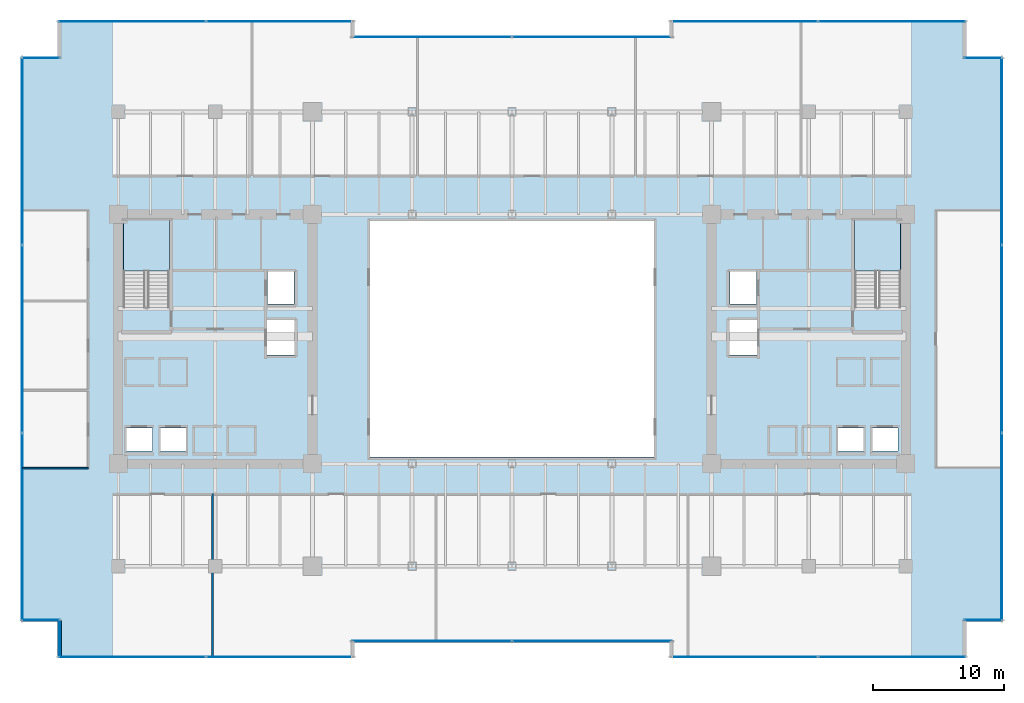
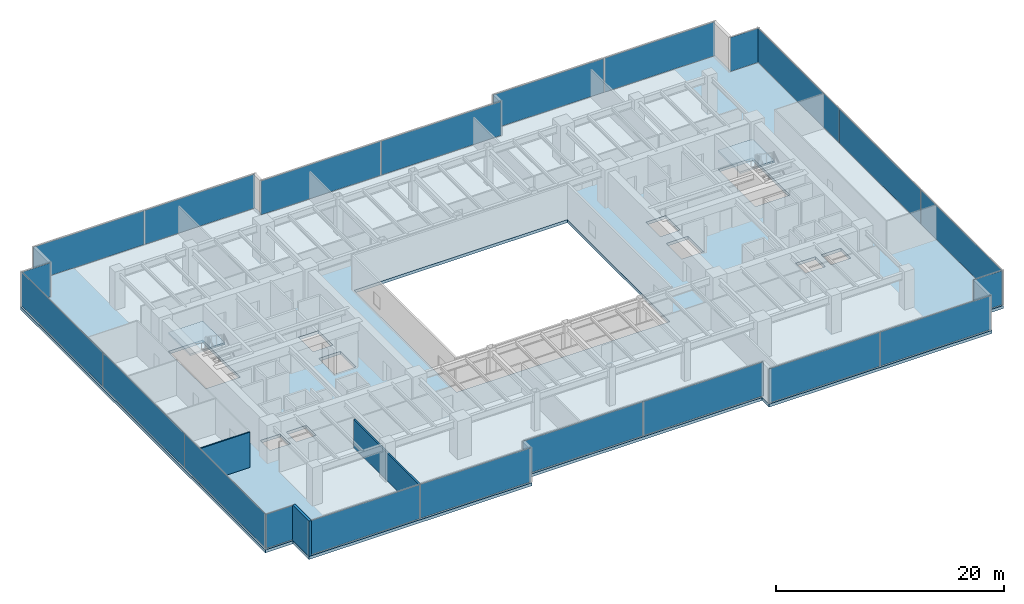
# One storey, part 28 of 37: 22 plates, 3 slabs, 3 walls, 14 elements without a shape of their own.
"""IFC4 building model written with IfcOpenShell, lengths in metres."""

from ifc_helpers import new_model, si_unit, direction, frame, frame_2d, origin, origin_2d, place, context, subcontext, project, spatial, polyline, rectangle, outline, extrude, source, transform, mapped, material, layer, layer_set, type_object, type_shapes, element, aggregate, save


model = new_model("IFC4")

# Units and contexts
model_context = context("Model", 3, precision=1e-05, world=origin(), true_north=direction((0.0, 1.0)))
body_context = subcontext(model_context, "Body", "Model", "MODEL_VIEW")
ifc_project = project(units=[si_unit("LENGTHUNIT", "METRE"), si_unit("AREAUNIT", "SQUARE_METRE"), si_unit("VOLUMEUNIT", "CUBIC_METRE"), si_unit("PLANEANGLEUNIT", "RADIAN"), si_unit("MASSUNIT", "GRAM", prefix="KILO")], contexts=[model_context])

# Site, building, storey
site_placement = place(None, origin())
site = spatial("IfcSite", under=ifc_project, at=site_placement, CompositionType="ELEMENT")
building_placement = place(site_placement, origin())
building = spatial("IfcBuilding", under=site, at=building_placement, Name="Haelvirn Gate Laboratories", CompositionType="ELEMENT")
storey_placement = place(building_placement, frame((0.0, 0.0, 78.5)))
storey = spatial("IfcBuildingStorey", under=building, at=storey_placement, Name="L19", CompositionType="ELEMENT", Elevation=78.5)

# Stair, slab
ifc_material_1 = material(Name="Concrete C40/50", Category="concrete")
stair_type = type_object("IfcStairType", Name="ST-DOG-1650-R22", PredefinedType="HALF_TURN_STAIR", material=ifc_material_1)
stair_1_placement = place(storey_placement, origin())
stair_1 = element("IfcStair", 1, at=stair_1_placement, inside=storey, type_object=stair_type, Name="L19 Escape Stair ST1", PredefinedType="HALF_TURN_STAIR")
ifc_layer_1 = layer(ifc_material_1, 0.199951171875, Name="SL-STAIR-LND")
ifc_layer_set_1 = layer_set([ifc_layer_1], Name="Concrete C40/50")
slab_type_1 = type_object("IfcSlabType", Name="SL-STAIR-LND", PredefinedType="LANDING", material=ifc_layer_set_1)
slab_1_placement = place(storey_placement, frame((0.0, 0.0, 1.85009765625)))
slab_1 = element("IfcSlab", 2, at=slab_1_placement, type_object=slab_type_1, Name="ST1 landing 1", PredefinedType="LANDING", context=body_context, shape_type="SweptSolid", body=[
    extrude(outline(polyline([(11.300048828125, 29.5), (11.300048828125, 33.35009765625), (7.800048828125, 33.35009765625), (7.800048828125, 29.5), (11.300048828125, 29.5)])), origin(), (0.0, 0.0, 1.0), 0.199951171875),
])
aggregate(stair_1, [slab_1])

stair_2_placement = place(storey_placement, origin())
stair_2 = element("IfcStair", 3, at=stair_2_placement, inside=storey, type_object=stair_type, Name="L19 Escape Stair ST2", PredefinedType="HALF_TURN_STAIR")
slab_2_placement = place(storey_placement, frame((0.0, 0.0, 1.85009765625)))
slab_2 = element("IfcSlab", 4, at=slab_2_placement, type_object=slab_type_1, Name="ST2 landing 1", PredefinedType="LANDING", context=body_context, shape_type="SweptSolid", body=[
    extrude(outline(polyline([(67.0, 29.5), (67.0, 33.35009765625), (63.5, 33.35009765625), (63.5, 29.5), (67.0, 29.5)])), origin(), (0.0, 0.0, 1.0), 0.199951171875),
])
aggregate(stair_2, [slab_2])

# Slab
ifc_material_2 = material(Name="Concrete C50/60", Category="concrete")
ifc_layer_2 = layer(ifc_material_2, 0.320068359375, Name="SL-Z1-320")
ifc_layer_set_2 = layer_set([ifc_layer_2], Name="Concrete C50/60")
slab_type_2 = type_object("IfcSlabType", Name="SL-Z1-320", PredefinedType="FLOOR", material=ifc_layer_set_2)
slab_3_placement = place(storey_placement, frame((0.0, 0.0, -0.320068359375)))
element("IfcSlab", 5, at=slab_3_placement, inside=storey, type_object=slab_type_2, Name="L19 Structural Slab MAIN", PredefinedType="FLOOR", context=body_context, shape_type="SweptSolid", body=[
    extrude(outline(polyline([(2.800048828125, 0.0), (25.39990234375, 0.0), (25.39990234375, 1.199951171875), (49.39990234375, 1.199951171875), (49.39990234375, 0.0), (72.0, 0.0), (72.0, 2.800048828125), (74.800048828125, 2.800048828125), (74.800048828125, 45.800048828125), (72.0, 45.800048828125), (72.0, 48.60009765625), (49.39990234375, 48.60009765625), (49.39990234375, 47.39990234375), (25.39990234375, 47.39990234375), (25.39990234375, 48.60009765625), (2.800048828125, 48.60009765625), (2.800048828125, 45.800048828125), (0.0, 45.800048828125), (0.0, 2.800048828125), (2.800048828125, 2.800048828125), (2.800048828125, 0.0)]), holes=[polyline([(26.60009765625, 15.300048828125), (48.199951171875, 15.300048828125), (48.199951171875, 33.300048828125), (26.60009765625, 33.300048828125), (26.60009765625, 15.300048828125)]), polyline([(11.300048828125, 26.780029296875), (11.300048828125, 33.35009765625), (7.800048828125, 33.35009765625), (7.800048828125, 26.780029296875), (11.300048828125, 26.780029296875)]), polyline([(67.0, 26.780029296875), (67.0, 33.35009765625), (63.5, 33.35009765625), (63.5, 26.780029296875), (67.0, 26.780029296875)]), polyline([(7.989990234375, 15.77001953125), (10.010009765625, 15.77001953125), (10.010009765625, 17.510009765625), (7.989990234375, 17.510009765625), (7.989990234375, 15.77001953125)]), polyline([(10.590087890625, 15.77001953125), (12.610107421875, 15.77001953125), (12.610107421875, 17.510009765625), (10.590087890625, 17.510009765625), (10.590087890625, 15.77001953125)]), polyline([(18.7900390625, 26.969970703125), (20.81005859375, 26.969970703125), (20.81005859375, 29.510009765625), (18.7900390625, 29.510009765625), (18.7900390625, 26.969970703125)]), polyline([(18.68994140625, 23.070068359375), (20.909912109375, 23.070068359375), (20.909912109375, 25.81005859375), (18.68994140625, 25.81005859375), (18.68994140625, 23.070068359375)]), polyline([(64.7900390625, 15.77001953125), (66.81005859375, 15.77001953125), (66.81005859375, 17.510009765625), (64.7900390625, 17.510009765625), (64.7900390625, 15.77001953125)]), polyline([(62.18994140625, 15.77001953125), (64.2099609375, 15.77001953125), (64.2099609375, 17.510009765625), (62.18994140625, 17.510009765625), (62.18994140625, 15.77001953125)]), polyline([(53.989990234375, 26.969970703125), (56.010009765625, 26.969970703125), (56.010009765625, 29.510009765625), (53.989990234375, 29.510009765625), (53.989990234375, 26.969970703125)]), polyline([(53.889892578125, 23.070068359375), (56.110107421875, 23.070068359375), (56.110107421875, 25.81005859375), (53.889892578125, 25.81005859375), (53.889892578125, 23.070068359375)])]), origin(), (0.0, 0.0, 1.0), 0.320068359375),
])

# Curtain wall, plates
ifc_material_3 = material(Name="Anodised bronze unitised aluminium & triple low-E glass", Category="aluminium")
ifc_layer_3 = layer(ifc_material_3, 0.18408203125, Name="CW-SYS-2")
ifc_layer_set_3 = layer_set([ifc_layer_3], Name="Anodised bronze unitised aluminium & triple low-E glass")
curtain_wall_type_1 = type_object("IfcCurtainWallType", Name="CW-SYS-2", PredefinedType="NOTDEFINED", material=ifc_layer_set_3)
curtain_wall_1_placement = place(storey_placement, origin())
curtain_wall_1 = element("IfcCurtainWall", 6, at=curtain_wall_1_placement, inside=storey, type_object=curtain_wall_type_1, Name="L19 Unitised Curtain Wall CW-L19-P0-E02-1", PredefinedType="NOTDEFINED")
ifc_material_4 = material(Name="Bronze solar-control triple low-E IGU 44 mm", Category="glass")
ifc_layer_4 = layer(ifc_material_4, 0.0439453125, Name="CWP-IGU-44")
ifc_layer_set_4 = layer_set([ifc_layer_4], Name="Bronze solar-control triple low-E IGU 44 mm")
plate_type_1 = type_object("IfcPlateType", Name="CWP-IGU-44", PredefinedType="CURTAIN_PANEL", material=ifc_layer_set_4)
shared_shape_1 = source(origin(), body_context, "Body", "SweptSolid", [
    extrude(rectangle(XDim=12.12744140625, YDim=0.0439453125, at=origin_2d()), origin(), (0.0, 0.0, 1.0), 3.639892578125),
])
plate_1_placement = place(storey_placement, frame((31.298828125, 1.300048828125, 0.06982421875), z_axis=(0.0, 0.0, 1.0), x_axis=(1.0, 0.0, 0.0)))
plate_1 = element("IfcPlate", 7, at=plate_1_placement, type_object=plate_type_1, Name="CW2 panel 1.1", PredefinedType="CURTAIN_PANEL", context=body_context, shape_type="MappedRepresentation", body=[
    mapped(shared_shape_1, transform((0.0, 0.0, 0.0), scale=1.0)),
])
plate_2_placement = place(storey_placement, frame((43.501220703125, 1.300048828125, 0.06982421875), z_axis=(0.0, 0.0, 1.0), x_axis=(1.0, 0.0, 0.0)))
plate_2 = element("IfcPlate", 8, at=plate_2_placement, type_object=plate_type_1, Name="CW2 panel 2.1", PredefinedType="CURTAIN_PANEL", context=body_context, shape_type="MappedRepresentation", body=[
    mapped(shared_shape_1, transform((0.0, 0.0, 0.0), scale=1.0)),
])
aggregate(curtain_wall_1, [plate_1, plate_2])

curtain_wall_2_placement = place(storey_placement, origin())
curtain_wall_2 = element("IfcCurtainWall", 9, at=curtain_wall_2_placement, inside=storey, type_object=curtain_wall_type_1, Name="L19 Unitised Curtain Wall CW-L19-P0-E12-1", PredefinedType="NOTDEFINED")
plate_3_placement = place(storey_placement, frame((31.298828125, 47.300048828125, 0.06982421875), z_axis=(0.0, 0.0, 1.0), x_axis=(1.0, 0.0, 0.0)))
plate_3 = element("IfcPlate", 10, at=plate_3_placement, type_object=plate_type_1, Name="CW2 panel 1.1", PredefinedType="CURTAIN_PANEL", context=body_context, shape_type="MappedRepresentation", body=[
    mapped(shared_shape_1, transform((0.0, 0.0, 0.0), scale=1.0)),
])
plate_4_placement = place(storey_placement, frame((43.501220703125, 47.300048828125, 0.06982421875), z_axis=(0.0, 0.0, 1.0), x_axis=(1.0, 0.0, 0.0)))
plate_4 = element("IfcPlate", 11, at=plate_4_placement, type_object=plate_type_1, Name="CW2 panel 2.1", PredefinedType="CURTAIN_PANEL", context=body_context, shape_type="MappedRepresentation", body=[
    mapped(shared_shape_1, transform((0.0, 0.0, 0.0), scale=1.0)),
])
aggregate(curtain_wall_2, [plate_3, plate_4])

curtain_wall_3_placement = place(storey_placement, origin())
curtain_wall_3 = element("IfcCurtainWall", 12, at=curtain_wall_3_placement, inside=storey, type_object=curtain_wall_type_1, Name="L19 Unitised Curtain Wall CW-L19-P0-E00-1", PredefinedType="NOTDEFINED")
shared_shape_2 = source(origin(), body_context, "Body", "SweptSolid", [
    extrude(rectangle(XDim=11.1875, YDim=0.0439453125, at=origin_2d()), origin(), (0.0, 0.0, 1.0), 3.639892578125),
])
plate_5_placement = place(storey_placement, frame((8.46875, 0.10009765625, 0.06982421875), z_axis=(0.0, 0.0, 1.0), x_axis=(1.0, 0.0, 0.0)))
plate_5 = element("IfcPlate", 13, at=plate_5_placement, type_object=plate_type_1, Name="CW2 panel 1.1", PredefinedType="CURTAIN_PANEL", context=body_context, shape_type="MappedRepresentation", body=[
    mapped(shared_shape_2, transform((0.0, 0.0, 0.0), scale=1.0)),
])
plate_6_placement = place(storey_placement, frame((19.731201171875, 0.10009765625, 0.06982421875), z_axis=(0.0, 0.0, 1.0), x_axis=(1.0, 0.0, 0.0)))
plate_6 = element("IfcPlate", 14, at=plate_6_placement, type_object=plate_type_1, Name="CW2 panel 2.1", PredefinedType="CURTAIN_PANEL", context=body_context, shape_type="MappedRepresentation", body=[
    mapped(shared_shape_2, transform((0.0, 0.0, 0.0), scale=1.0)),
])
aggregate(curtain_wall_3, [plate_5, plate_6])

curtain_wall_4_placement = place(storey_placement, origin())
curtain_wall_4 = element("IfcCurtainWall", 15, at=curtain_wall_4_placement, inside=storey, type_object=curtain_wall_type_1, Name="L19 Unitised Curtain Wall CW-L19-P0-E04-1", PredefinedType="NOTDEFINED")
plate_7_placement = place(storey_placement, frame((55.06884765625, 0.10009765625, 0.06982421875), z_axis=(0.0, 0.0, 1.0), x_axis=(1.0, 0.0, 0.0)))
plate_7 = element("IfcPlate", 16, at=plate_7_placement, type_object=plate_type_1, Name="CW2 panel 1.1", PredefinedType="CURTAIN_PANEL", context=body_context, shape_type="MappedRepresentation", body=[
    mapped(shared_shape_2, transform((0.0, 0.0, 0.0), scale=1.0)),
])
plate_8_placement = place(storey_placement, frame((66.331298828125, 0.10009765625, 0.06982421875), z_axis=(0.0, 0.0, 1.0), x_axis=(1.0, 0.0, 0.0)))
plate_8 = element("IfcPlate", 17, at=plate_8_placement, type_object=plate_type_1, Name="CW2 panel 2.1", PredefinedType="CURTAIN_PANEL", context=body_context, shape_type="MappedRepresentation", body=[
    mapped(shared_shape_2, transform((0.0, 0.0, 0.0), scale=1.0)),
])
aggregate(curtain_wall_4, [plate_7, plate_8])

curtain_wall_5_placement = place(storey_placement, origin())
curtain_wall_5 = element("IfcCurtainWall", 18, at=curtain_wall_5_placement, inside=storey, type_object=curtain_wall_type_1, Name="L19 Unitised Curtain Wall CW-L19-P0-E10-1", PredefinedType="NOTDEFINED")
plate_9_placement = place(storey_placement, frame((55.06884765625, 48.5, 0.06982421875), z_axis=(0.0, 0.0, 1.0), x_axis=(1.0, 0.0, 0.0)))
plate_9 = element("IfcPlate", 19, at=plate_9_placement, type_object=plate_type_1, Name="CW2 panel 1.1", PredefinedType="CURTAIN_PANEL", context=body_context, shape_type="MappedRepresentation", body=[
    mapped(shared_shape_2, transform((0.0, 0.0, 0.0), scale=1.0)),
])
plate_10_placement = place(storey_placement, frame((66.331298828125, 48.5, 0.06982421875), z_axis=(0.0, 0.0, 1.0), x_axis=(1.0, 0.0, 0.0)))
plate_10 = element("IfcPlate", 20, at=plate_10_placement, type_object=plate_type_1, Name="CW2 panel 2.1", PredefinedType="CURTAIN_PANEL", context=body_context, shape_type="MappedRepresentation", body=[
    mapped(shared_shape_2, transform((0.0, 0.0, 0.0), scale=1.0)),
])
aggregate(curtain_wall_5, [plate_9, plate_10])

curtain_wall_6_placement = place(storey_placement, origin())
curtain_wall_6 = element("IfcCurtainWall", 21, at=curtain_wall_6_placement, inside=storey, type_object=curtain_wall_type_1, Name="L19 Unitised Curtain Wall CW-L19-P0-E14-1", PredefinedType="NOTDEFINED")
plate_11_placement = place(storey_placement, frame((8.46875, 48.5, 0.06982421875), z_axis=(0.0, 0.0, 1.0), x_axis=(1.0, 0.0, 0.0)))
plate_11 = element("IfcPlate", 22, at=plate_11_placement, type_object=plate_type_1, Name="CW2 panel 1.1", PredefinedType="CURTAIN_PANEL", context=body_context, shape_type="MappedRepresentation", body=[
    mapped(shared_shape_2, transform((0.0, 0.0, 0.0), scale=1.0)),
])
plate_12_placement = place(storey_placement, frame((19.731201171875, 48.5, 0.06982421875), z_axis=(0.0, 0.0, 1.0), x_axis=(1.0, 0.0, 0.0)))
plate_12 = element("IfcPlate", 23, at=plate_12_placement, type_object=plate_type_1, Name="CW2 panel 2.1", PredefinedType="CURTAIN_PANEL", context=body_context, shape_type="MappedRepresentation", body=[
    mapped(shared_shape_2, transform((0.0, 0.0, 0.0), scale=1.0)),
])
aggregate(curtain_wall_6, [plate_11, plate_12])

# Curtain wall, plate
ifc_layer_5 = layer(ifc_material_3, 0.181884765625, Name="CW-SYS-5")
ifc_layer_set_5 = layer_set([ifc_layer_5], Name="Anodised bronze unitised aluminium & triple low-E glass")
curtain_wall_type_2 = type_object("IfcCurtainWallType", Name="CW-SYS-5", PredefinedType="NOTDEFINED", material=ifc_layer_set_5)
curtain_wall_7_placement = place(storey_placement, origin())
curtain_wall_7 = element("IfcCurtainWall", 24, at=curtain_wall_7_placement, inside=storey, type_object=curtain_wall_type_2, Name="L19 Unitised Curtain Wall CW-L19-P0-E06-1", PredefinedType="NOTDEFINED")
ifc_material_5 = material(Name="Clear low-iron notched-corner triple IGU 42 mm", Category="glass")
ifc_layer_6 = layer(ifc_material_5, 0.0419921875, Name="CWP-NTC-42")
ifc_layer_set_6 = layer_set([ifc_layer_6], Name="Clear low-iron notched-corner triple IGU 42 mm")
plate_type_2 = type_object("IfcPlateType", Name="CWP-NTC-42", PredefinedType="CURTAIN_PANEL", material=ifc_layer_set_6)
shared_shape_3 = source(origin(), body_context, "Body", "SweptSolid", [
    extrude(rectangle(XDim=2.8798828125, YDim=0.0419921875, at=origin_2d()), origin(), (0.0, 0.0, 1.0), 3.64990234375),
])
type_shapes(plate_type_2, [shared_shape_3])
plate_13_placement = place(storey_placement, frame((73.280029296875, 2.89990234375, 0.06494140625), z_axis=(0.0, 0.0, 1.0), x_axis=(1.0, 0.0, 0.0)))
plate_13 = element("IfcPlate", 25, at=plate_13_placement, type_object=plate_type_2, Name="CW5 panel 1.1", PredefinedType="CURTAIN_PANEL", context=body_context, shape_type="MappedRepresentation", body=[
    mapped(shared_shape_3, transform((0.0, 0.0, 0.0), scale=1.0)),
])
aggregate(curtain_wall_7, [plate_13])

curtain_wall_8_placement = place(storey_placement, origin())
curtain_wall_8 = element("IfcCurtainWall", 26, at=curtain_wall_8_placement, inside=storey, type_object=curtain_wall_type_2, Name="L19 Unitised Curtain Wall CW-L19-P0-E08-1", PredefinedType="NOTDEFINED")
plate_14_placement = place(storey_placement, frame((73.280029296875, 45.699951171875, 0.06494140625), z_axis=(0.0, 0.0, 1.0), x_axis=(1.0, 0.0, 0.0)))
plate_14 = element("IfcPlate", 27, at=plate_14_placement, type_object=plate_type_2, Name="CW5 panel 1.1", PredefinedType="CURTAIN_PANEL", context=body_context, shape_type="MappedRepresentation", body=[
    mapped(shared_shape_3, transform((0.0, 0.0, 0.0), scale=1.0)),
])
aggregate(curtain_wall_8, [plate_14])

curtain_wall_9_placement = place(storey_placement, origin())
curtain_wall_9 = element("IfcCurtainWall", 28, at=curtain_wall_9_placement, inside=storey, type_object=curtain_wall_type_2, Name="L19 Unitised Curtain Wall CW-L19-P0-E16-1", PredefinedType="NOTDEFINED")
plate_15_placement = place(storey_placement, frame((1.52001953125, 45.699951171875, 0.06494140625), z_axis=(0.0, 0.0, 1.0), x_axis=(1.0, 0.0, 0.0)))
plate_15 = element("IfcPlate", 29, at=plate_15_placement, type_object=plate_type_2, Name="CW5 panel 1.1", PredefinedType="CURTAIN_PANEL", context=body_context, shape_type="MappedRepresentation", body=[
    mapped(shared_shape_3, transform((0.0, 0.0, 0.0), scale=1.0)),
])
aggregate(curtain_wall_9, [plate_15])

curtain_wall_10_placement = place(storey_placement, origin())
curtain_wall_10 = element("IfcCurtainWall", 30, at=curtain_wall_10_placement, inside=storey, type_object=curtain_wall_type_2, Name="L19 Unitised Curtain Wall CW-L19-P0-E18-1", PredefinedType="NOTDEFINED")
plate_16_placement = place(storey_placement, frame((1.52001953125, 2.89990234375, 0.06494140625), z_axis=(0.0, 0.0, 1.0), x_axis=(1.0, 0.0, 0.0)))
plate_16 = element("IfcPlate", 31, at=plate_16_placement, type_object=plate_type_2, Name="CW5 panel 1.1", PredefinedType="CURTAIN_PANEL", context=body_context, shape_type="MappedRepresentation", body=[
    mapped(shared_shape_3, transform((0.0, 0.0, 0.0), scale=1.0)),
])
aggregate(curtain_wall_10, [plate_16])

# Curtain wall, plates
curtain_wall_11_placement = place(storey_placement, origin())
curtain_wall_11 = element("IfcCurtainWall", 32, at=curtain_wall_11_placement, inside=storey, type_object=curtain_wall_type_1, Name="L19 Unitised Curtain Wall CW-L19-P0-E07", PredefinedType="NOTDEFINED")
shared_shape_4 = source(origin(), body_context, "Body", "SweptSolid", [
    extrude(rectangle(XDim=14.220947265625, YDim=0.0439453125, at=origin_2d()), origin(), (0.0, 0.0, 1.0), 3.639892578125),
])
plate_17_placement = place(storey_placement, frame((74.699951171875, 9.9853515625, 0.06982421875), z_axis=(0.0, 0.0, 1.0), x_axis=(0.0, 1.0, 0.0)))
plate_17 = element("IfcPlate", 33, at=plate_17_placement, type_object=plate_type_1, Name="CW2 panel 1.1", PredefinedType="CURTAIN_PANEL", context=body_context, shape_type="MappedRepresentation", body=[
    mapped(shared_shape_4, transform((0.0, 0.0, 0.0), scale=1.0)),
])
plate_18_placement = place(storey_placement, frame((74.699951171875, 38.614501953125, 0.06982421875), z_axis=(0.0, 0.0, 1.0), x_axis=(0.0, 1.0, 0.0)))
plate_18 = element("IfcPlate", 34, at=plate_18_placement, type_object=plate_type_1, Name="CW2 panel 3.1", PredefinedType="CURTAIN_PANEL", context=body_context, shape_type="MappedRepresentation", body=[
    mapped(shared_shape_4, transform((0.0, 0.0, 0.0), scale=1.0)),
])

curtain_wall_12_placement = place(storey_placement, origin())
curtain_wall_12 = element("IfcCurtainWall", 35, at=curtain_wall_12_placement, inside=storey, type_object=curtain_wall_type_1, Name="L19 Unitised Curtain Wall CW-L19-P0-E17", PredefinedType="NOTDEFINED")
plate_19_placement = place(storey_placement, frame((0.10009765625, 38.614501953125, 0.06982421875), z_axis=(0.0, 0.0, 1.0), x_axis=(0.0, -1.0, 0.0)))
plate_19 = element("IfcPlate", 36, at=plate_19_placement, type_object=plate_type_1, Name="CW2 panel 1.1", PredefinedType="CURTAIN_PANEL", context=body_context, shape_type="MappedRepresentation", body=[
    mapped(shared_shape_4, transform((0.0, 0.0, 0.0), scale=1.0)),
])
plate_20_placement = place(storey_placement, frame((0.10009765625, 9.9853515625, 0.06982421875), z_axis=(0.0, 0.0, 1.0), x_axis=(0.0, -1.0, 0.0)))
plate_20 = element("IfcPlate", 37, at=plate_20_placement, type_object=plate_type_1, Name="CW2 panel 3.1", PredefinedType="CURTAIN_PANEL", context=body_context, shape_type="MappedRepresentation", body=[
    mapped(shared_shape_4, transform((0.0, 0.0, 0.0), scale=1.0)),
])

# Plate
shared_shape_5 = source(origin(), body_context, "Body", "SweptSolid", [
    extrude(rectangle(XDim=14.25830078125, YDim=0.0439453125, at=origin_2d()), origin(), (0.0, 0.0, 1.0), 3.639892578125),
])
type_shapes(plate_type_1, [shared_shape_1, shared_shape_2, shared_shape_4, shared_shape_5])
plate_21_placement = place(storey_placement, frame((74.699951171875, 24.300048828125, 0.06982421875), z_axis=(0.0, 0.0, 1.0), x_axis=(0.0, 1.0, 0.0)))
plate_21 = element("IfcPlate", 38, at=plate_21_placement, type_object=plate_type_1, Name="CW2 panel 2.1", PredefinedType="CURTAIN_PANEL", context=body_context, shape_type="MappedRepresentation", body=[
    mapped(shared_shape_5, transform((0.0, 0.0, 0.0), scale=1.0)),
])

aggregate(curtain_wall_11, [plate_17, plate_21, plate_18])

plate_22_placement = place(storey_placement, frame((0.10009765625, 24.300048828125, 0.06982421875), z_axis=(0.0, 0.0, 1.0), x_axis=(0.0, -1.0, 0.0)))
plate_22 = element("IfcPlate", 39, at=plate_22_placement, type_object=plate_type_1, Name="CW2 panel 2.1", PredefinedType="CURTAIN_PANEL", context=body_context, shape_type="MappedRepresentation", body=[
    mapped(shared_shape_5, transform((0.0, 0.0, 0.0), scale=1.0)),
])

aggregate(curtain_wall_12, [plate_19, plate_22, plate_20])

# Walls
ifc_material_6 = material(Name="Thermally-broken bronze aluminium rainscreen & mineral wool", Category="aluminium")
ifc_layer_7 = layer(ifc_material_6, 0.280029296875, Name="EW-TERR-280")
ifc_layer_set_7 = layer_set([ifc_layer_7], Name="Thermally-broken bronze aluminium rainscreen & mineral wool")
wall_type_1 = type_object("IfcWallType", Name="EW-TERR-280", PredefinedType="STANDARD", material=ifc_layer_set_7)
wall_1_placement = place(storey_placement, frame((2.93994140625, 2.887939453125, 0.0), z_axis=(0.0, 0.0, 1.0), x_axis=(0.0, -1.0, 0.0)))
element("IfcWall", 40, at=wall_1_placement, inside=storey, type_object=wall_type_1, Name="L19 Atrium Recess Bronze Return Wall 19", PredefinedType="STANDARD", context=body_context, shape_type="SweptSolid", body=[
    extrude(rectangle(XDim=2.887939453125, YDim=0.280029296875, at=frame_2d((1.44384765625, 0.0))), origin(), (0.0, 0.0, 1.0), 3.780029296875),
])
ifc_material_7 = material(Name="Double-layer acoustic gypsum laboratory partition", Category="gypsum")
ifc_layer_8 = layer(ifc_material_7, 0.159912109375, Name="IW-ACOUST-160")
ifc_layer_set_8 = layer_set([ifc_layer_8], Name="Double-layer acoustic gypsum laboratory partition")
wall_type_2 = type_object("IfcWallType", Name="IW-ACOUST-160", PredefinedType="PARTITIONING", material=ifc_layer_set_8)
wall_2_placement = place(storey_placement, frame((14.60009765625, 0.110107421875, 0.0), z_axis=(0.0, 0.0, 1.0), x_axis=(0.0, 1.0, 0.0)))
element("IfcWall", 41, at=wall_2_placement, inside=storey, type_object=wall_type_2, Name="L19 Interior Wall IW-L19-SDIV-01", PredefinedType="PARTITIONING", context=body_context, shape_type="SweptSolid", body=[
    extrude(rectangle(XDim=12.3798828125, YDim=0.159912109375, at=frame_2d((6.18994140625, 0.0))), origin(), (0.0, 0.0, 1.0), 3.014892578125),
])
ifc_material_8 = material(Name="Lightweight acoustic gypsum board partition", Category="gypsum")
ifc_layer_9 = layer(ifc_material_8, 0.1201171875, Name="IW-PART-120")
ifc_layer_set_9 = layer_set([ifc_layer_9], Name="Lightweight acoustic gypsum board partition")
wall_type_3 = type_object("IfcWallType", Name="IW-PART-120", PredefinedType="PARTITIONING", material=ifc_layer_set_9)
wall_3_placement = place(storey_placement, frame((0.110107421875, 14.465087890625, 0.0), z_axis=(0.0, 0.0, 1.0), x_axis=(1.0, 0.0, 0.0)))
element("IfcWall", 42, at=wall_3_placement, inside=storey, type_object=wall_type_3, Name="L19 Interior Wall IW-L19-WCAP-S", PredefinedType="PARTITIONING", context=body_context, shape_type="SweptSolid", body=[
    extrude(rectangle(XDim=5.019775390625, YDim=0.1201171875, at=frame_2d((2.509765625, 0.0))), origin(), (0.0, 0.0, 1.0), 3.780029296875),
])

save(model, "model.ifc")
